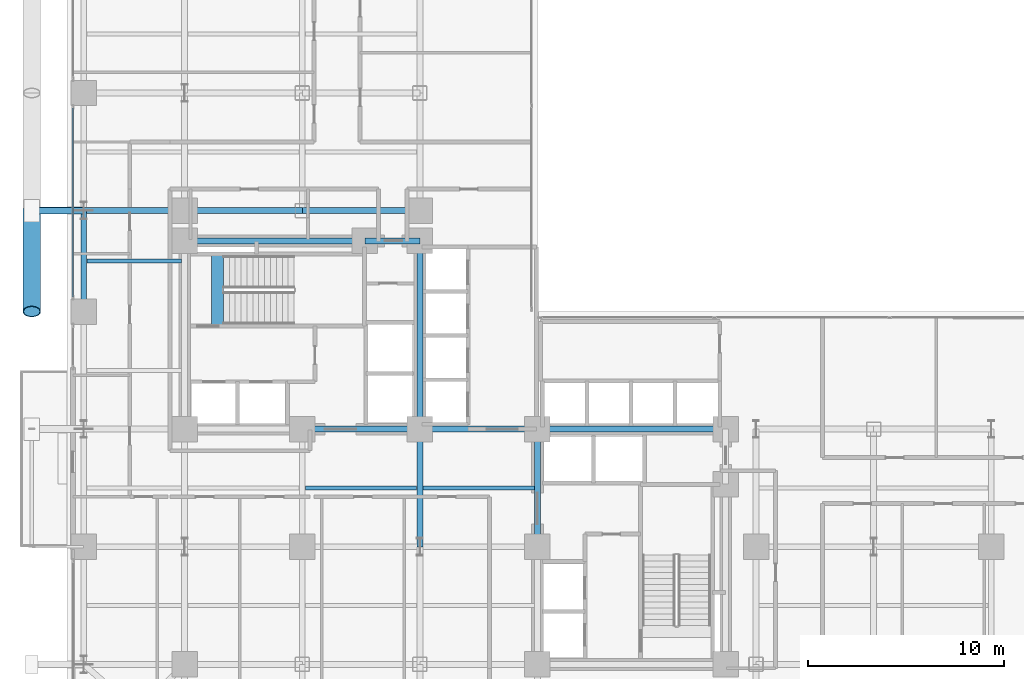
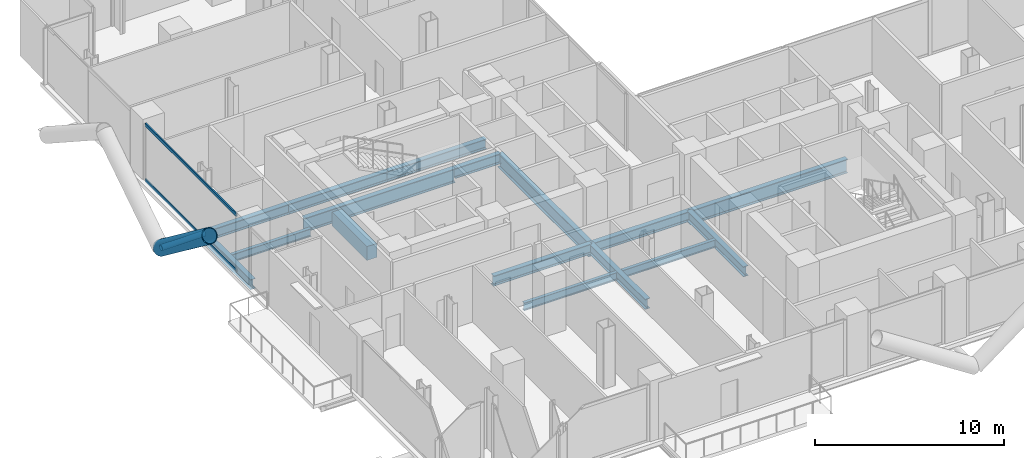
# One storey, part 6 of 25: 16 beams, 4 members, 1 element without a shape of its own.
"""IFC4 building model written with IfcOpenShell, lengths in metres."""

from ifc_helpers import new_model, si_unit, direction, frame, origin, origin_2d, place, context, subcontext, project, spatial, rectangle, hollow_rectangle, hollow_circle, i_section, extrude, material, layer, layer_set, material_profile, profile_set, type_object, element, aggregate, save


model = new_model("IFC4")

# Units and contexts
model_context = context("Model", 3, precision=1e-05, world=origin(), true_north=direction((0.0, 1.0)))
body_context = subcontext(model_context, "Body", "Model", "MODEL_VIEW")
ifc_project = project(units=[si_unit("LENGTHUNIT", "METRE"), si_unit("AREAUNIT", "SQUARE_METRE"), si_unit("VOLUMEUNIT", "CUBIC_METRE"), si_unit("PLANEANGLEUNIT", "RADIAN"), si_unit("MASSUNIT", "GRAM", prefix="KILO"), si_unit("THERMODYNAMICTEMPERATUREUNIT", "KELVIN"), si_unit("POWERUNIT", "WATT")], contexts=[model_context])

# Site, building, storey
site_placement = place(None, origin())
site = spatial("IfcSite", under=ifc_project, at=site_placement, CompositionType="ELEMENT")
building_placement = place(site_placement, origin())
building = spatial("IfcBuilding", under=site, at=building_placement, Name="Svarakhadi Broadcast Tower", CompositionType="ELEMENT")
storey_placement = place(building_placement, frame((0.0, 0.0, 48.0)))
storey = spatial("IfcBuildingStorey", under=building, at=storey_placement, Name="L10", CompositionType="ELEMENT", Elevation=48.0)

# Beams
ifc_material_1 = material(Name="Steel S355J2 (IS 2062 E350C)", Category="steel")
ifc_material_profile_1 = material_profile(ifc_material_1, i_section(OverallWidth=0.199951171875, OverallDepth=0.5, WebThickness=0.01025390625, FlangeThickness=0.01611328125, FilletRadius=0.02099609375, at=origin_2d()), Name="NPB 500x200x91")
ifc_profile_set_1 = profile_set([ifc_material_profile_1], Name="Steel S355J2 (IS 2062 E350C)")
beam_type_1 = type_object("IfcBeamType", Name="Beam_NPB500", PredefinedType="BEAM", material=ifc_profile_set_1)
beam_1_placement = place(storey_placement, frame((1.010009765625, 26.574951171875, -0.5), z_axis=(1.0, 0.0, 0.0), x_axis=(0.0, 1.0, 0.0)))
element("IfcBeam", 1, at=beam_1_placement, inside=storey, type_object=beam_type_1, Name="L10 Secondary Composite Beam SB004", PredefinedType="BEAM", context=body_context, shape_type="SweptSolid", body=[
    extrude(i_section(OverallWidth=0.199951171875, OverallDepth=0.5, WebThickness=0.01025390625, FlangeThickness=0.01611328125, FilletRadius=0.02099609375, at=origin_2d()), origin(), (0.0, 0.0, 1.0), 4.830078125),
])
for number, where, z_axis, x_axis, name in (
    (2, (12.159912109375, 15.0, -0.5), (1.0, 0.0, 0.0), (0.0, 1.0, 0.0), "L10 Secondary Composite Beam SB015"),
    (3, (18.159912109375, 15.0, -0.5), (1.0, 0.0, 0.0), (0.0, 1.0, 0.0), "L10 Secondary Composite Beam SB021"),
):
    element("IfcBeam", number, at=place(storey_placement, frame(where, z_axis=z_axis, x_axis=x_axis)), inside=storey, type_object=beam_type_1, Name=name, PredefinedType="BEAM", context=body_context, shape_type="SweptSolid", body=[
        extrude(i_section(OverallWidth=0.199951171875, OverallDepth=0.5, WebThickness=0.01025390625, FlangeThickness=0.01611328125, FilletRadius=0.02099609375, at=origin_2d()), origin(), (0.0, 0.0, 1.0), 5.68017578125),
    ])

# Curtain wall, members
ifc_material_2 = material(Name="Anodised Bronze Aluminium AA 6063-T6", Category="aluminium")
ifc_layer = layer(ifc_material_2, 0.219970703125)
ifc_layer_set = layer_set([ifc_layer], Name="Anodised Bronze Aluminium AA 6063-T6")
curtain_wall_type = type_object("IfcCurtainWallType", Name="CW_Sys_02", PredefinedType="NOTDEFINED", material=ifc_layer_set)
curtain_wall_placement = place(storey_placement, origin())
curtain_wall = element("IfcCurtainWall", 4, at=curtain_wall_placement, inside=storey, type_object=curtain_wall_type, Name="L10 West Curtain Wall 03 Bay 2", PredefinedType="NOTDEFINED")
ifc_material_profile_2 = material_profile(ifc_material_2, hollow_rectangle(XDim=0.074951171875, YDim=0.199951171875, WallThickness=0.0048828125, at=origin_2d()), Name="ALU TRANSOM 200x75x5")
ifc_profile_set_2 = profile_set([ifc_material_profile_2], Name="Anodised Bronze Aluminium AA 6063-T6")
member_type_1 = type_object("IfcMemberType", Name="CW_Sys_02_Trn", PredefinedType="USERDEFINED", material=ifc_profile_set_2)
member_1_placement = place(storey_placement, frame((0.300048828125, 24.7548828125, 0.03759765625), z_axis=(0.0, 1.0, 0.0), x_axis=(-1.0, 0.0, 0.0)))
member_1 = element("IfcMember", 5, at=member_1_placement, type_object=member_type_1, Name="CW-02 transom 1.1", ObjectType="TRANSOM", PredefinedType="USERDEFINED", context=body_context, shape_type="SweptSolid", body=[
    extrude(hollow_rectangle(XDim=0.074951171875, YDim=0.199951171875, WallThickness=0.0048828125, at=origin_2d()), origin(), (0.0, 0.0, 1.0), 9.64013671875),
])
member_2_placement = place(storey_placement, frame((0.300048828125, 24.7548828125, 3.612548828125), z_axis=(0.0, 1.0, 0.0), x_axis=(-1.0, 0.0, 0.0)))
member_2 = element("IfcMember", 6, at=member_2_placement, type_object=member_type_1, Name="CW-02 transom 1.2", ObjectType="TRANSOM", PredefinedType="USERDEFINED", context=body_context, shape_type="SweptSolid", body=[
    extrude(hollow_rectangle(XDim=0.074951171875, YDim=0.199951171875, WallThickness=0.0048828125, at=origin_2d()), origin(), (0.0, 0.0, 1.0), 9.64013671875),
])
aggregate(curtain_wall, [member_1, member_2])

# Beam
ifc_material_3 = material(Name="Concrete C50/60 (IS 456 M60)", Category="concrete")
ifc_material_profile_3 = material_profile(ifc_material_3, rectangle(XDim=0.60009765625, YDim=0.89990234375, at=origin_2d()), Name="RC 600x900")
ifc_profile_set_3 = profile_set([ifc_material_profile_3], Name="Concrete C50/60 (IS 456 M60)")
beam_type_2 = type_object("IfcBeamType", Name="Coupling_RC600", PredefinedType="USERDEFINED", material=ifc_profile_set_3)
beam_2_placement = place(storey_placement, frame((7.679931640625, 23.260009765625, -0.449951171875), z_axis=(0.0, 1.0, 0.0), x_axis=(-1.0, 0.0, 0.0)))
element("IfcBeam", 7, at=beam_2_placement, inside=storey, type_object=beam_type_2, Name="L10 Stair ST-01 Landing Throat Trimmer Beam CB-01", ObjectType="GIRDER", PredefinedType="USERDEFINED", context=body_context, shape_type="SweptSolid", body=[
    extrude(rectangle(XDim=0.60009765625, YDim=0.89990234375, at=origin_2d()), origin(), (0.0, 0.0, 1.0), 3.679931640625),
])

# Members
ifc_material_4 = material(Name="Steel S460ML (IS 2062 E450BR)", Category="steel")
ifc_material_profile_4 = material_profile(ifc_material_4, hollow_circle(Radius=0.45703125, WallThickness=0.044921875, at=origin_2d()), Name="CHS 914x45")
ifc_profile_set_4 = profile_set([ifc_material_profile_4], Name="Steel S460ML (IS 2062 E450BR)")
member_type_2 = type_object("IfcMemberType", Name="Exo_Brace_CHS914", PredefinedType="BRACE", material=ifc_profile_set_4)
member_3_placement = place(storey_placement, frame((-1.800048828125, 29.14990234375, -0.427734375), z_axis=(0.0, -0.797206791841, 0.603706328476), x_axis=(1.0, 0.0, 0.0)))
element("IfcMember", 8, at=member_3_placement, inside=storey, type_object=member_type_2, Name="L10 Exposed Bronze Exoskeleton Diagonal W05", PredefinedType="BRACE", context=body_context, shape_type="SweptSolid", body=[
    extrude(hollow_circle(Radius=0.45703125, WallThickness=0.044921875, at=origin_2d()), origin(), (0.0, 0.0, 1.0), 6.4599609375),
])
ifc_material_profile_5 = material_profile(ifc_material_4, hollow_circle(Radius=0.177734375, WallThickness=0.02001953125, at=origin_2d()), Name="CHS 355.6x20")
ifc_profile_set_5 = profile_set([ifc_material_profile_5], Name="Steel S460ML (IS 2062 E450BR)")
member_type_3 = type_object("IfcMemberType", Name="Exo_Radial_Strut_Z1", PredefinedType="STRUT", material=ifc_profile_set_5)
member_4_placement = place(storey_placement, frame((-1.800048828125, 29.14990234375, -0.427734375), z_axis=(1.0, 0.0, 0.0), x_axis=(0.0, 1.0, 0.0)))
element("IfcMember", 9, at=member_4_placement, inside=storey, type_object=member_type_3, Name="L10 Exoskeleton Radial Tie Strut W07", PredefinedType="STRUT", context=body_context, shape_type="SweptSolid", body=[
    extrude(hollow_circle(Radius=0.177734375, WallThickness=0.02001953125, at=origin_2d()), origin(), (0.0, 0.0, 1.0), 2.650146484375),
])

# Beams
ifc_material_profile_6 = material_profile(ifc_material_1, i_section(OverallWidth=0.300048828125, OverallDepth=0.64990234375, WebThickness=0.01611328125, FlangeThickness=0.031005859375, FilletRadius=0.027099609375, at=origin_2d()), Name="WPB 650x300x225")
ifc_profile_set_6 = profile_set([ifc_material_profile_6], Name="Steel S355J2 (IS 2062 E350C)")
beam_type_3 = type_object("IfcBeamType", Name="Girder_WPB650", PredefinedType="USERDEFINED", material=ifc_profile_set_6)
for number, where, z_axis, x_axis, name in (
    (10, (12.0, 18.0, -0.574951171875), (1.0, 0.0, 0.0), (0.0, 1.0, 0.0), "L10 Primary E-W Girder G027"),
    (11, (18.0, 18.0, -0.574951171875), (1.0, 0.0, 0.0), (0.0, 1.0, 0.0), "L10 Primary E-W Girder G028"),
):
    element("IfcBeam", number, at=place(storey_placement, frame(where, z_axis=z_axis, x_axis=x_axis)), inside=storey, type_object=beam_type_3, Name=name, ObjectType="GIRDER", PredefinedType="USERDEFINED", context=body_context, shape_type="SweptSolid", body=[
        extrude(i_section(OverallWidth=0.300048828125, OverallDepth=0.64990234375, WebThickness=0.01611328125, FlangeThickness=0.031005859375, FilletRadius=0.027099609375, at=origin_2d()), origin(), (0.0, 0.0, 1.0), 6.0),
    ])
beam_3_placement = place(storey_placement, frame((15.199951171875, 27.60009765625, -0.574951171875), z_axis=(1.0, 0.0, 0.0), x_axis=(0.0, 1.0, 0.0)))
element("IfcBeam", 12, at=beam_3_placement, inside=storey, type_object=beam_type_3, Name="L10 Primary E-W Girder G033", ObjectType="GIRDER", PredefinedType="USERDEFINED", context=body_context, shape_type="SweptSolid", body=[
    extrude(i_section(OverallWidth=0.300048828125, OverallDepth=0.64990234375, WebThickness=0.01611328125, FlangeThickness=0.031005859375, FilletRadius=0.027099609375, at=origin_2d()), origin(), (0.0, 0.0, 1.0), 2.800048828125),
])
beam_4_placement = place(storey_placement, frame((0.85009765625, 29.14990234375, -0.574951171875), z_axis=(1.0, 0.0, 0.0), x_axis=(0.0, 1.0, 0.0)))
element("IfcBeam", 13, at=beam_4_placement, inside=storey, type_object=beam_type_3, Name="L10 Primary E-W Girder G034", ObjectType="GIRDER", PredefinedType="USERDEFINED", context=body_context, shape_type="SweptSolid", body=[
    extrude(i_section(OverallWidth=0.300048828125, OverallDepth=0.64990234375, WebThickness=0.01611328125, FlangeThickness=0.031005859375, FilletRadius=0.027099609375, at=origin_2d()), origin(), (0.0, 0.0, 1.0), 5.14990234375),
])
for number, where, z_axis, x_axis, name in (
    (14, (6.0, 29.14990234375, -0.574951171875), (1.0, 0.0, 0.0), (0.0, 1.0, 0.0), "L10 Primary E-W Girder G035"),
    (15, (12.0, 29.14990234375, -0.574951171875), (1.0, 0.0, 0.0), (0.0, 1.0, 0.0), "L10 Primary E-W Girder G036"),
):
    element("IfcBeam", number, at=place(storey_placement, frame(where, z_axis=z_axis, x_axis=x_axis)), inside=storey, type_object=beam_type_3, Name=name, ObjectType="GIRDER", PredefinedType="USERDEFINED", context=body_context, shape_type="SweptSolid", body=[
        extrude(i_section(OverallWidth=0.300048828125, OverallDepth=0.64990234375, WebThickness=0.01611328125, FlangeThickness=0.031005859375, FilletRadius=0.027099609375, at=origin_2d()), origin(), (0.0, 0.0, 1.0), 6.0),
    ])
beam_5_placement = place(storey_placement, frame((0.85009765625, 24.0, -0.574951171875), z_axis=(0.0, 1.0, 0.0), x_axis=(-1.0, 0.0, 0.0)))
element("IfcBeam", 16, at=beam_5_placement, inside=storey, type_object=beam_type_3, Name="L10 Primary N-S Girder G048", ObjectType="GIRDER", PredefinedType="USERDEFINED", context=body_context, shape_type="SweptSolid", body=[
    extrude(i_section(OverallWidth=0.300048828125, OverallDepth=0.64990234375, WebThickness=0.01611328125, FlangeThickness=0.031005859375, FilletRadius=0.027099609375, at=origin_2d()), origin(), (0.0, 0.0, 1.0), 5.14990234375),
])
for number, where, z_axis, x_axis, name in (
    (17, (18.0, 12.0, -0.574951171875), (0.0, 1.0, 0.0), (-1.0, 0.0, 0.0), "L10 Primary N-S Girder G066"),
    (18, (24.0, 12.0, -0.574951171875), (0.0, 1.0, 0.0), (-1.0, 0.0, 0.0), "L10 Primary N-S Girder G073"),
):
    element("IfcBeam", number, at=place(storey_placement, frame(where, z_axis=z_axis, x_axis=x_axis)), inside=storey, type_object=beam_type_3, Name=name, ObjectType="GIRDER", PredefinedType="USERDEFINED", context=body_context, shape_type="SweptSolid", body=[
        extrude(i_section(OverallWidth=0.300048828125, OverallDepth=0.64990234375, WebThickness=0.01611328125, FlangeThickness=0.031005859375, FilletRadius=0.027099609375, at=origin_2d()), origin(), (0.0, 0.0, 1.0), 6.0),
    ])
ifc_material_profile_7 = material_profile(ifc_material_4, i_section(OverallWidth=0.300048828125, OverallDepth=0.89990234375, WebThickness=0.0185546875, FlangeThickness=0.034912109375, FilletRadius=0.030029296875, at=origin_2d()), Name="WPB 900x300x291")
ifc_profile_set_7 = profile_set([ifc_material_profile_7], Name="Steel S460ML (IS 2062 E450BR)")
beam_type_4 = type_object("IfcBeamType", Name="Girder_WPB900", PredefinedType="USERDEFINED", material=ifc_profile_set_7)
beam_6_placement = place(storey_placement, frame((24.0, 18.0, -0.699951171875), z_axis=(1.0, 0.0, 0.0), x_axis=(0.0, 1.0, 0.0)))
element("IfcBeam", 19, at=beam_6_placement, inside=storey, type_object=beam_type_4, Name="L10 Primary E-W Girder G029", ObjectType="GIRDER", PredefinedType="USERDEFINED", context=body_context, shape_type="SweptSolid", body=[
    extrude(i_section(OverallWidth=0.300048828125, OverallDepth=0.89990234375, WebThickness=0.0185546875, FlangeThickness=0.034912109375, FilletRadius=0.030029296875, at=origin_2d()), origin(), (0.0, 0.0, 1.0), 9.60009765625),
])
beam_7_placement = place(storey_placement, frame((6.0, 27.60009765625, -0.699951171875), z_axis=(1.0, 0.0, 0.0), x_axis=(0.0, 1.0, 0.0)))
element("IfcBeam", 20, at=beam_7_placement, inside=storey, type_object=beam_type_4, Name="L10 Primary E-W Girder G032", ObjectType="GIRDER", PredefinedType="USERDEFINED", context=body_context, shape_type="SweptSolid", body=[
    extrude(i_section(OverallWidth=0.300048828125, OverallDepth=0.89990234375, WebThickness=0.0185546875, FlangeThickness=0.034912109375, FilletRadius=0.030029296875, at=origin_2d()), origin(), (0.0, 0.0, 1.0), 9.199951171875),
])
beam_8_placement = place(storey_placement, frame((18.0, 18.0, -0.699951171875), z_axis=(0.0, 1.0, 0.0), x_axis=(-1.0, 0.0, 0.0)))
element("IfcBeam", 21, at=beam_8_placement, inside=storey, type_object=beam_type_4, Name="L10 Primary N-S Girder G067", ObjectType="GIRDER", PredefinedType="USERDEFINED", context=body_context, shape_type="SweptSolid", body=[
    extrude(i_section(OverallWidth=0.300048828125, OverallDepth=0.89990234375, WebThickness=0.0185546875, FlangeThickness=0.034912109375, FilletRadius=0.030029296875, at=origin_2d()), origin(), (0.0, 0.0, 1.0), 9.60009765625),
])

save(model, "model.ifc")
